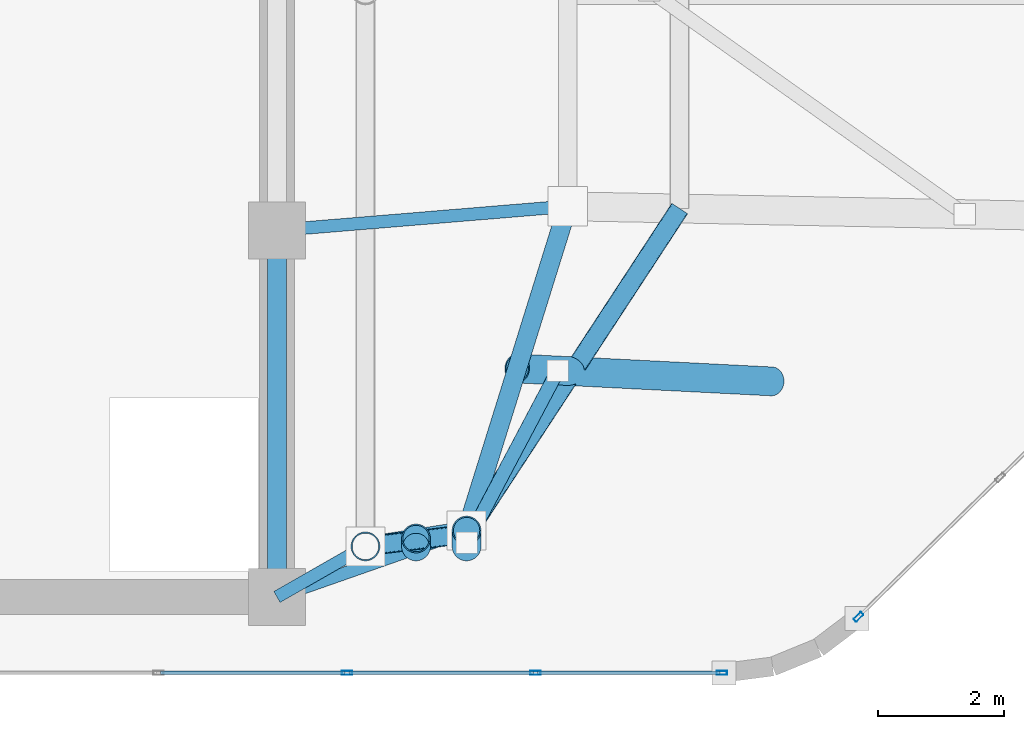
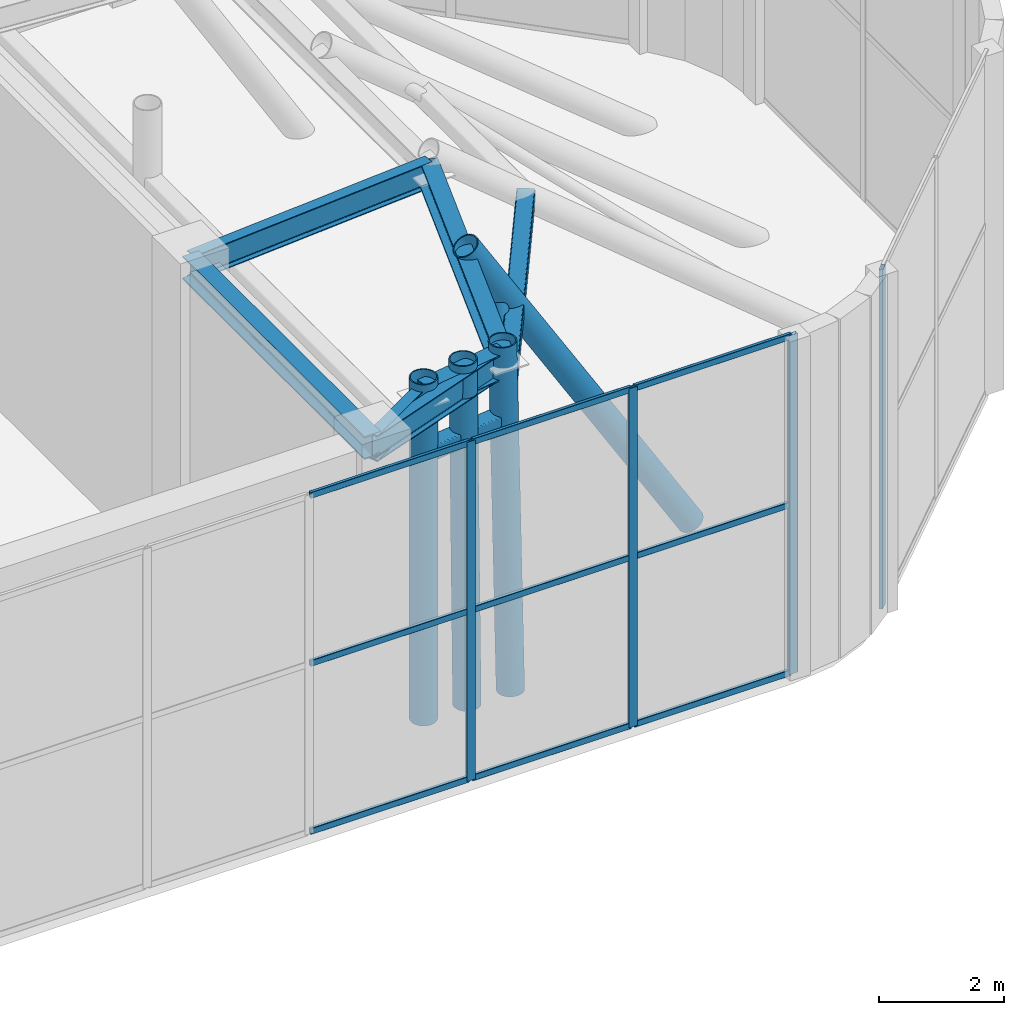
# One storey, part 8 of 19: 20 members, 6 beams, 2 elements without a shape of their own.
"""IFC4 building model written with IfcOpenShell, lengths in metres."""

from ifc_helpers import new_model, si_unit, direction, frame, origin, origin_2d, place, context, subcontext, project, spatial, hollow_rectangle, hollow_circle, i_section, extrude, material, layer, layer_set, material_profile, profile_set, type_object, element, aggregate, save


model = new_model("IFC4")

# Units and contexts
model_context = context("Model", 3, precision=1e-05, world=origin(), true_north=direction((0.0, 1.0)))
body_context = subcontext(model_context, "Body", "Model", "MODEL_VIEW")
ifc_project = project(units=[si_unit("LENGTHUNIT", "METRE"), si_unit("AREAUNIT", "SQUARE_METRE"), si_unit("VOLUMEUNIT", "CUBIC_METRE"), si_unit("PLANEANGLEUNIT", "RADIAN"), si_unit("MASSUNIT", "GRAM", prefix="KILO")], contexts=[model_context])

# Site, building, storey
site_placement = place(None, origin())
site = spatial("IfcSite", under=ifc_project, at=site_placement, CompositionType="ELEMENT")
building_placement = place(site_placement, origin())
building = spatial("IfcBuilding", under=site, at=building_placement, Name="An Khanh Terracotta Commons", CompositionType="ELEMENT")
storey_placement = place(building_placement, frame((0.0, 0.0, 328.800048828125)))
storey = spatial("IfcBuildingStorey", under=building, at=storey_placement, Name="L82 Crown Faceted Taper", CompositionType="ELEMENT", Elevation=328.800048828125)

# Beams
ifc_material_1 = material(Name="Steel S355J2", Category="steel")
ifc_material_profile_1 = material_profile(ifc_material_1, i_section(OverallWidth=0.300048828125, OverallDepth=0.449951171875, WebThickness=0.013916015625, FlangeThickness=0.02587890625, FilletRadius=0.027099609375, at=origin_2d()), Name="HEB450")
ifc_profile_set_1 = profile_set([ifc_material_profile_1], Name="Steel S355J2")
beam_type_1 = type_object("IfcBeamType", Name="BM-HEB450", PredefinedType="BEAM", material=ifc_profile_set_1)
beam_1_placement = place(storey_placement, frame((37.199951171875, 14.39990234375, 6.155029296875), z_axis=(0.0, 1.0, 0.0), x_axis=(-1.0, 0.0, 0.0)))
element("IfcBeam", 1, at=beam_1_placement, inside=storey, type_object=beam_type_1, Name="L82 Crown Faceted Taper Core East Coupling Girder 1", PredefinedType="BEAM", context=body_context, shape_type="SweptSolid", body=[
    extrude(i_section(OverallWidth=0.300048828125, OverallDepth=0.449951171875, WebThickness=0.013916015625, FlangeThickness=0.02587890625, FilletRadius=0.027099609375, at=origin_2d()), origin(), (0.0, 0.0, 1.0), 5.800048828125),
])
ifc_material_profile_2 = material_profile(ifc_material_1, i_section(OverallWidth=0.300048828125, OverallDepth=0.5, WebThickness=0.014404296875, FlangeThickness=0.028076171875, FilletRadius=0.027099609375, at=origin_2d()), Name="HEB500")
ifc_profile_set_2 = profile_set([ifc_material_profile_2], Name="Steel S355J2")
beam_type_2 = type_object("IfcBeamType", Name="BM-HEB500", PredefinedType="BEAM", material=ifc_profile_set_2)
beam_2_placement = place(storey_placement, frame((38.60009765625, 15.199951171875, 6.1298828125), z_axis=(0.988009877714, 0.154390678282, 0.0), x_axis=(-0.154390678282, 0.988009877714, 0.0)))
element("IfcBeam", 2, at=beam_2_placement, inside=storey, type_object=beam_type_2, Name="L82 Crown Faceted Taper CROWN FRAME Ring Beam 1", PredefinedType="BEAM", context=body_context, shape_type="SweptSolid", body=[
    extrude(i_section(OverallWidth=0.300048828125, OverallDepth=0.5, WebThickness=0.014404296875, FlangeThickness=0.028076171875, FilletRadius=0.027099609375, at=origin_2d()), origin(), (0.0, 0.0, 1.0), 1.619384765625),
])
beam_3_placement = place(storey_placement, frame((40.199951171875, 15.449951171875, 6.1298828125), z_axis=(0.297754997969, 0.954642321074, 0.0), x_axis=(-0.954642321074, 0.297754997969, 0.0)))
element("IfcBeam", 3, at=beam_3_placement, inside=storey, type_object=beam_type_2, Name="L82 Crown Faceted Taper CROWN FRAME Ring Beam 2", PredefinedType="BEAM", context=body_context, shape_type="SweptSolid", body=[
    extrude(i_section(OverallWidth=0.300048828125, OverallDepth=0.5, WebThickness=0.014404296875, FlangeThickness=0.028076171875, FilletRadius=0.027099609375, at=origin_2d()), origin(), (0.0, 0.0, 1.0), 5.373779296875),
])
ifc_material_profile_3 = material_profile(ifc_material_1, i_section(OverallWidth=0.199951171875, OverallDepth=0.5, WebThickness=0.01025390625, FlangeThickness=0.01611328125, FilletRadius=0.02099609375, at=origin_2d()), Name="IPE500")
ifc_profile_set_3 = profile_set([ifc_material_profile_3], Name="Steel S355J2")
beam_type_3 = type_object("IfcBeamType", Name="BM-IPE500", PredefinedType="BEAM", material=ifc_profile_set_3)
beam_4_placement = place(storey_placement, frame((37.199951171875, 14.39990234375, 6.1298828125), z_axis=(0.86825245861, 0.496122634152, 0.0), x_axis=(-0.496122634152, 0.86825245861, 0.0)))
element("IfcBeam", 4, at=beam_4_placement, inside=storey, type_object=beam_type_3, Name="L82 Crown Faceted Taper Crown Radial Tie Beam 1", PredefinedType="BEAM", context=body_context, shape_type="SweptSolid", body=[
    extrude(i_section(OverallWidth=0.199951171875, OverallDepth=0.5, WebThickness=0.01025390625, FlangeThickness=0.01611328125, FilletRadius=0.02099609375, at=origin_2d()), origin(), (0.0, 0.0, 1.0), 1.612548828125),
])
beam_5_placement = place(storey_placement, frame((37.199951171875, 14.39990234375, 6.1298828125), z_axis=(0.943853566271, 0.330364110395, 0.0), x_axis=(-0.330364110395, 0.943853566271, 0.0)))
element("IfcBeam", 5, at=beam_5_placement, inside=storey, type_object=beam_type_3, Name="L82 Crown Faceted Taper Crown Radial Tie Beam 2", PredefinedType="BEAM", context=body_context, shape_type="SweptSolid", body=[
    extrude(i_section(OverallWidth=0.199951171875, OverallDepth=0.5, WebThickness=0.01025390625, FlangeThickness=0.01611328125, FilletRadius=0.02099609375, at=origin_2d()), origin(), (0.0, 0.0, 1.0), 3.178466796875),
])
beam_6_placement = place(storey_placement, frame((37.199951171875, 20.199951171875, 6.1298828125), z_axis=(0.996603152989, 0.082353842968, 0.0), x_axis=(-0.082353842968, 0.996603152989, 0.0)))
element("IfcBeam", 6, at=beam_6_placement, inside=storey, type_object=beam_type_3, Name="L82 Crown Faceted Taper Crown Radial Tie Beam 3", PredefinedType="BEAM", context=body_context, shape_type="SweptSolid", body=[
    extrude(i_section(OverallWidth=0.199951171875, OverallDepth=0.5, WebThickness=0.01025390625, FlangeThickness=0.01611328125, FilletRadius=0.02099609375, at=origin_2d()), origin(), (0.0, 0.0, 1.0), 4.61572265625),
])

# Members
ifc_material_2 = material(Name="Steel S460ML", Category="steel")
ifc_material_profile_4 = material_profile(ifc_material_2, hollow_circle(Radius=0.109619140625, WallThickness=0.010009765625, at=origin_2d()), Name="CHS219.1x10")
ifc_profile_set_4 = profile_set([ifc_material_profile_4], Name="Steel S460ML")
member_type_1 = type_object("IfcMemberType", Name="CROWN FRAME BRACE CHS219", PredefinedType="BRACE", material=ifc_profile_set_4)
member_1_placement = place(storey_placement, frame((40.199951171875, 15.2548828125, 1.341064453125), z_axis=(0.28067653215, 0.5300349728, 0.80017723781), x_axis=(-0.883739799827, 0.46797859588, 0.0)))
element("IfcMember", 7, at=member_1_placement, inside=storey, type_object=member_type_1, Name="L82 Crown Faceted Taper CROWN FRAME Wind Diagonal 2", PredefinedType="BRACE", context=body_context, shape_type="SweptSolid", body=[
    extrude(hollow_circle(Radius=0.109619140625, WallThickness=0.010009765625, at=origin_2d()), origin(), (0.0, 0.0, 1.0), 5.14501953125),
])
ifc_material_profile_5 = material_profile(ifc_material_2, hollow_circle(Radius=0.228515625, WallThickness=0.02001953125, at=origin_2d()), Name="CHS457x20")
ifc_profile_set_5 = profile_set([ifc_material_profile_5], Name="Steel S460ML")
member_type_2 = type_object("IfcMemberType", Name="CROWN FRAME RIB CHS457", PredefinedType="STRUT", material=ifc_profile_set_5)
member_2_placement = place(storey_placement, frame((38.60009765625, 15.199951171875, -0.1201171875), z_axis=(0.0, 0.0, 1.0), x_axis=(1.0, 0.0, 0.0)))
element("IfcMember", 8, at=member_2_placement, inside=storey, type_object=member_type_2, Name="L82 Crown Faceted Taper CROWN FRAME Corner Raking Rib 1", PredefinedType="STRUT", context=body_context, shape_type="SweptSolid", body=[
    extrude(hollow_circle(Radius=0.228515625, WallThickness=0.02001953125, at=origin_2d()), origin(), (0.0, 0.0, 1.0), 6.64013671875),
])
member_3_placement = place(storey_placement, frame((39.39990234375, 15.199951171875, -0.1201171875), z_axis=(0.0, 0.018821578921, 0.999822858394), x_axis=(-1.0, 0.0, 0.0)))
element("IfcMember", 9, at=member_3_placement, inside=storey, type_object=member_type_2, Name="L82 Crown Faceted Taper CROWN FRAME Facet Strut 1", PredefinedType="STRUT", context=body_context, shape_type="SweptSolid", body=[
    extrude(hollow_circle(Radius=0.228515625, WallThickness=0.02001953125, at=origin_2d()), origin(), (0.0, 0.0, 1.0), 6.641357421875),
])
member_4_placement = place(storey_placement, frame((40.199951171875, 15.199951171875, -0.1201171875), z_axis=(0.0, 0.037623171035, 0.999291997867), x_axis=(-1.0, 0.0, 0.0)))
element("IfcMember", 10, at=member_4_placement, inside=storey, type_object=member_type_2, Name="L82 Crown Faceted Taper CROWN FRAME Corner Raking Rib 2", PredefinedType="STRUT", context=body_context, shape_type="SweptSolid", body=[
    extrude(hollow_circle(Radius=0.228515625, WallThickness=0.02001953125, at=origin_2d()), origin(), (0.0, 0.0, 1.0), 6.644775390625),
])
member_5_placement = place(storey_placement, frame((45.02490234375, 17.81005859375, -0.1201171875), z_axis=(-0.518175799346, 0.026370829531, 0.854867486996), x_axis=(-0.050825889665, -0.99870752923, 0.0)))
element("IfcMember", 11, at=member_5_placement, inside=storey, type_object=member_type_2, Name="L82 Crown Faceted Taper CROWN FRAME Facet Strut 2", PredefinedType="STRUT", context=body_context, shape_type="SweptSolid", body=[
    extrude(hollow_circle(Radius=0.228515625, WallThickness=0.02001953125, at=origin_2d()), origin(), (0.0, 0.0, 1.0), 7.767333984375),
])
ifc_material_profile_6 = material_profile(ifc_material_2, hollow_rectangle(XDim=0.300048828125, YDim=0.300048828125, WallThickness=0.01611328125, InnerFilletRadius=0.01611328125, OuterFilletRadius=0.031982421875, at=origin_2d()), Name="SHS300x300x16")
ifc_profile_set_6 = profile_set([ifc_material_profile_6], Name="Steel S460ML")
member_type_3 = type_object("IfcMemberType", Name="CROWN FRAME RING SHS300", PredefinedType="CHORD", material=ifc_profile_set_6)
member_6_placement = place(storey_placement, frame((38.60009765625, 15.199951171875, 5.058837890625), z_axis=(0.992648541085, 0.121032532325, 0.0), x_axis=(-0.121032532325, 0.992648541085, 0.0)))
element("IfcMember", 12, at=member_6_placement, inside=storey, type_object=member_type_3, Name="L82 Crown Faceted Taper CROWN FRAME Sill Ring Chord 1", PredefinedType="CHORD", context=body_context, shape_type="SweptSolid", body=[
    extrude(hollow_rectangle(XDim=0.300048828125, YDim=0.300048828125, WallThickness=0.01611328125, InnerFilletRadius=0.01611328125, OuterFilletRadius=0.031982421875, at=origin_2d()), origin(), (0.0, 0.0, 1.0), 1.61181640625),
])
member_7_placement = place(storey_placement, frame((40.199951171875, 15.39501953125, 5.058837890625), z_axis=(0.547687447158, 0.836683010599, 0.0), x_axis=(-0.836683010599, 0.547687447158, 0.0)))
element("IfcMember", 13, at=member_7_placement, inside=storey, type_object=member_type_3, Name="L82 Crown Faceted Taper CROWN FRAME Sill Ring Chord 2", PredefinedType="CHORD", context=body_context, shape_type="SweptSolid", body=[
    extrude(hollow_rectangle(XDim=0.300048828125, YDim=0.300048828125, WallThickness=0.01611328125, InnerFilletRadius=0.01611328125, OuterFilletRadius=0.031982421875, at=origin_2d()), origin(), (0.0, 0.0, 1.0), 6.155029296875),
])

# Curtain wall, members
ifc_material_3 = material(Name="Anodised Aluminium 6063-T6", Category="aluminium")
ifc_layer = layer(ifc_material_3, 0.18994140625, Name="Anodised Aluminium 6063-T6")
ifc_layer_set = layer_set([ifc_layer], Name="Anodised Aluminium 6063-T6")
curtain_wall_type = type_object("IfcCurtainWallType", Name="CW-SYS-06", PredefinedType="USERDEFINED", material=ifc_layer_set)
curtain_wall_1_placement = place(storey_placement, origin())
curtain_wall_1 = element("IfcCurtainWall", 14, at=curtain_wall_1_placement, inside=storey, type_object=curtain_wall_type, Name="L82 Crown Faceted Taper CW-06 Unitised Curtain Wall CW-L82-04", ObjectType="UNITISED CURTAIN WALL", PredefinedType="USERDEFINED")
ifc_material_profile_7 = material_profile(ifc_material_3, hollow_rectangle(XDim=0.06494140625, YDim=0.1650390625, WallThickness=0.00390625, InnerFilletRadius=0.00390625, OuterFilletRadius=0.008056640625, at=origin_2d()), Name="RHS165x65x4")
ifc_profile_set_7 = profile_set([ifc_material_profile_7], Name="Anodised Aluminium 6063-T6")
member_type_4 = type_object("IfcMemberType", Name="CWM-RHS165x65x4", PredefinedType="MULLION", material=ifc_profile_set_7)
member_8_placement = place(storey_placement, frame((38.307861328125, 13.199951171875, 0.0), z_axis=(0.0, 0.0, 1.0), x_axis=(0.0, 1.0, 0.0)))
member_8 = element("IfcMember", 15, at=member_8_placement, type_object=member_type_4, Name="CW-06 mullion 6", PredefinedType="MULLION", context=body_context, shape_type="SweptSolid", body=[
    extrude(hollow_rectangle(XDim=0.06494140625, YDim=0.1650390625, WallThickness=0.00390625, InnerFilletRadius=0.00390625, OuterFilletRadius=0.008056640625, at=origin_2d()), origin(), (0.0, 0.0, 1.0), 6.599853515625),
])
member_9_placement = place(storey_placement, frame((41.289306640625, 13.199951171875, 0.0), z_axis=(0.0, 0.0, 1.0), x_axis=(0.0, 1.0, 0.0)))
member_9 = element("IfcMember", 16, at=member_9_placement, type_object=member_type_4, Name="CW-06 mullion 7", PredefinedType="MULLION", context=body_context, shape_type="SweptSolid", body=[
    extrude(hollow_rectangle(XDim=0.06494140625, YDim=0.1650390625, WallThickness=0.00390625, InnerFilletRadius=0.00390625, OuterFilletRadius=0.008056640625, at=origin_2d()), origin(), (0.0, 0.0, 1.0), 6.599853515625),
])
member_10_placement = place(storey_placement, frame((44.238525390625, 13.199951171875, 0.0), z_axis=(0.0, 0.0, 1.0), x_axis=(0.0, 1.0, 0.0)))
member_10 = element("IfcMember", 17, at=member_10_placement, type_object=member_type_4, Name="CW-06 mullion 8", PredefinedType="MULLION", context=body_context, shape_type="SweptSolid", body=[
    extrude(hollow_rectangle(XDim=0.06494140625, YDim=0.1650390625, WallThickness=0.00390625, InnerFilletRadius=0.00390625, OuterFilletRadius=0.008056640625, at=origin_2d()), origin(), (0.0, 0.0, 1.0), 6.599853515625),
])

# Curtain wall, member
curtain_wall_2_placement = place(storey_placement, origin())
curtain_wall_2 = element("IfcCurtainWall", 18, at=curtain_wall_2_placement, inside=storey, type_object=curtain_wall_type, Name="L82 Crown Faceted Taper CW-06 Unitised Curtain Wall CW-L82-08", ObjectType="UNITISED CURTAIN WALL", PredefinedType="USERDEFINED")
member_11_placement = place(storey_placement, frame((46.399169921875, 14.084716796875, 0.0), z_axis=(0.0, 0.0, 1.0), x_axis=(-0.701497280399, 0.712672130501, 0.0)))
member_11 = element("IfcMember", 19, at=member_11_placement, type_object=member_type_4, Name="CW-06 mullion 1", PredefinedType="MULLION", context=body_context, shape_type="SweptSolid", body=[
    extrude(hollow_rectangle(XDim=0.06494140625, YDim=0.1650390625, WallThickness=0.00390625, InnerFilletRadius=0.00390625, OuterFilletRadius=0.008056640625, at=origin_2d()), origin(), (0.0, 0.0, 1.0), 6.599853515625),
])
aggregate(curtain_wall_2, [member_11])

# Member
ifc_material_profile_8 = material_profile(ifc_material_3, hollow_rectangle(XDim=0.06005859375, YDim=0.1201171875, WallThickness=0.003662109375, InnerFilletRadius=0.003662109375, OuterFilletRadius=0.007080078125, at=origin_2d()), Name="RHS120x60x3.6")
ifc_profile_set_8 = profile_set([ifc_material_profile_8], Name="Anodised Aluminium 6063-T6")
member_type_5 = type_object("IfcMemberType", Name="CWT-RHS120x60x3.6", PredefinedType="USERDEFINED", material=ifc_profile_set_8)
member_12_placement = place(storey_placement, frame((35.35888671875, 13.199951171875, 0.030029296875), z_axis=(1.0, 0.0, 0.0), x_axis=(0.0, 1.0, 0.0)))
member_12 = element("IfcMember", 20, at=member_12_placement, type_object=member_type_5, Name="CW-06 transom 5.1", ObjectType="TRANSOM", PredefinedType="USERDEFINED", context=body_context, shape_type="SweptSolid", body=[
    extrude(hollow_rectangle(XDim=0.06005859375, YDim=0.1201171875, WallThickness=0.003662109375, InnerFilletRadius=0.003662109375, OuterFilletRadius=0.007080078125, at=origin_2d()), origin(), (0.0, 0.0, 1.0), 2.91650390625),
])

member_13_placement = place(storey_placement, frame((35.35888671875, 13.199951171875, 3.300048828125), z_axis=(1.0, 0.0, 0.0), x_axis=(0.0, 1.0, 0.0)))
member_13 = element("IfcMember", 21, at=member_13_placement, type_object=member_type_5, Name="CW-06 transom 5.2", ObjectType="TRANSOM", PredefinedType="USERDEFINED", context=body_context, shape_type="SweptSolid", body=[
    extrude(hollow_rectangle(XDim=0.06005859375, YDim=0.1201171875, WallThickness=0.003662109375, InnerFilletRadius=0.003662109375, OuterFilletRadius=0.007080078125, at=origin_2d()), origin(), (0.0, 0.0, 1.0), 2.91650390625),
])

member_14_placement = place(storey_placement, frame((35.35888671875, 13.199951171875, 6.570068359375), z_axis=(1.0, 0.0, 0.0), x_axis=(0.0, 1.0, 0.0)))
member_14 = element("IfcMember", 22, at=member_14_placement, type_object=member_type_5, Name="CW-06 transom 5.3", ObjectType="TRANSOM", PredefinedType="USERDEFINED", context=body_context, shape_type="SweptSolid", body=[
    extrude(hollow_rectangle(XDim=0.06005859375, YDim=0.1201171875, WallThickness=0.003662109375, InnerFilletRadius=0.003662109375, OuterFilletRadius=0.007080078125, at=origin_2d()), origin(), (0.0, 0.0, 1.0), 2.91650390625),
])

member_15_placement = place(storey_placement, frame((38.34033203125, 13.199951171875, 0.030029296875), z_axis=(1.0, 0.0, 0.0), x_axis=(0.0, 1.0, 0.0)))
member_15 = element("IfcMember", 23, at=member_15_placement, type_object=member_type_5, Name="CW-06 transom 6.1", ObjectType="TRANSOM", PredefinedType="USERDEFINED", context=body_context, shape_type="SweptSolid", body=[
    extrude(hollow_rectangle(XDim=0.06005859375, YDim=0.1201171875, WallThickness=0.003662109375, InnerFilletRadius=0.003662109375, OuterFilletRadius=0.007080078125, at=origin_2d()), origin(), (0.0, 0.0, 1.0), 2.91650390625),
])

member_16_placement = place(storey_placement, frame((38.34033203125, 13.199951171875, 3.300048828125), z_axis=(1.0, 0.0, 0.0), x_axis=(0.0, 1.0, 0.0)))
member_16 = element("IfcMember", 24, at=member_16_placement, type_object=member_type_5, Name="CW-06 transom 6.2", ObjectType="TRANSOM", PredefinedType="USERDEFINED", context=body_context, shape_type="SweptSolid", body=[
    extrude(hollow_rectangle(XDim=0.06005859375, YDim=0.1201171875, WallThickness=0.003662109375, InnerFilletRadius=0.003662109375, OuterFilletRadius=0.007080078125, at=origin_2d()), origin(), (0.0, 0.0, 1.0), 2.91650390625),
])

member_17_placement = place(storey_placement, frame((38.34033203125, 13.199951171875, 6.570068359375), z_axis=(1.0, 0.0, 0.0), x_axis=(0.0, 1.0, 0.0)))
member_17 = element("IfcMember", 25, at=member_17_placement, type_object=member_type_5, Name="CW-06 transom 6.3", ObjectType="TRANSOM", PredefinedType="USERDEFINED", context=body_context, shape_type="SweptSolid", body=[
    extrude(hollow_rectangle(XDim=0.06005859375, YDim=0.1201171875, WallThickness=0.003662109375, InnerFilletRadius=0.003662109375, OuterFilletRadius=0.007080078125, at=origin_2d()), origin(), (0.0, 0.0, 1.0), 2.91650390625),
])

member_18_placement = place(storey_placement, frame((41.322021484375, 13.199951171875, 0.030029296875), z_axis=(1.0, 0.0, 0.0), x_axis=(0.0, 1.0, 0.0)))
member_18 = element("IfcMember", 26, at=member_18_placement, type_object=member_type_5, Name="CW-06 transom 7.1", ObjectType="TRANSOM", PredefinedType="USERDEFINED", context=body_context, shape_type="SweptSolid", body=[
    extrude(hollow_rectangle(XDim=0.06005859375, YDim=0.1201171875, WallThickness=0.003662109375, InnerFilletRadius=0.003662109375, OuterFilletRadius=0.007080078125, at=origin_2d()), origin(), (0.0, 0.0, 1.0), 2.884033203125),
])

member_19_placement = place(storey_placement, frame((41.322021484375, 13.199951171875, 3.300048828125), z_axis=(1.0, 0.0, 0.0), x_axis=(0.0, 1.0, 0.0)))
member_19 = element("IfcMember", 27, at=member_19_placement, type_object=member_type_5, Name="CW-06 transom 7.2", ObjectType="TRANSOM", PredefinedType="USERDEFINED", context=body_context, shape_type="SweptSolid", body=[
    extrude(hollow_rectangle(XDim=0.06005859375, YDim=0.1201171875, WallThickness=0.003662109375, InnerFilletRadius=0.003662109375, OuterFilletRadius=0.007080078125, at=origin_2d()), origin(), (0.0, 0.0, 1.0), 2.884033203125),
])

member_20_placement = place(storey_placement, frame((41.322021484375, 13.199951171875, 6.570068359375), z_axis=(1.0, 0.0, 0.0), x_axis=(0.0, 1.0, 0.0)))
member_20 = element("IfcMember", 28, at=member_20_placement, type_object=member_type_5, Name="CW-06 transom 7.3", ObjectType="TRANSOM", PredefinedType="USERDEFINED", context=body_context, shape_type="SweptSolid", body=[
    extrude(hollow_rectangle(XDim=0.06005859375, YDim=0.1201171875, WallThickness=0.003662109375, InnerFilletRadius=0.003662109375, OuterFilletRadius=0.007080078125, at=origin_2d()), origin(), (0.0, 0.0, 1.0), 2.884033203125),
])

aggregate(curtain_wall_1, [member_8, member_9, member_10, member_12, member_13, member_14, member_15, member_16, member_17, member_18, member_19, member_20])

save(model, "model.ifc")
